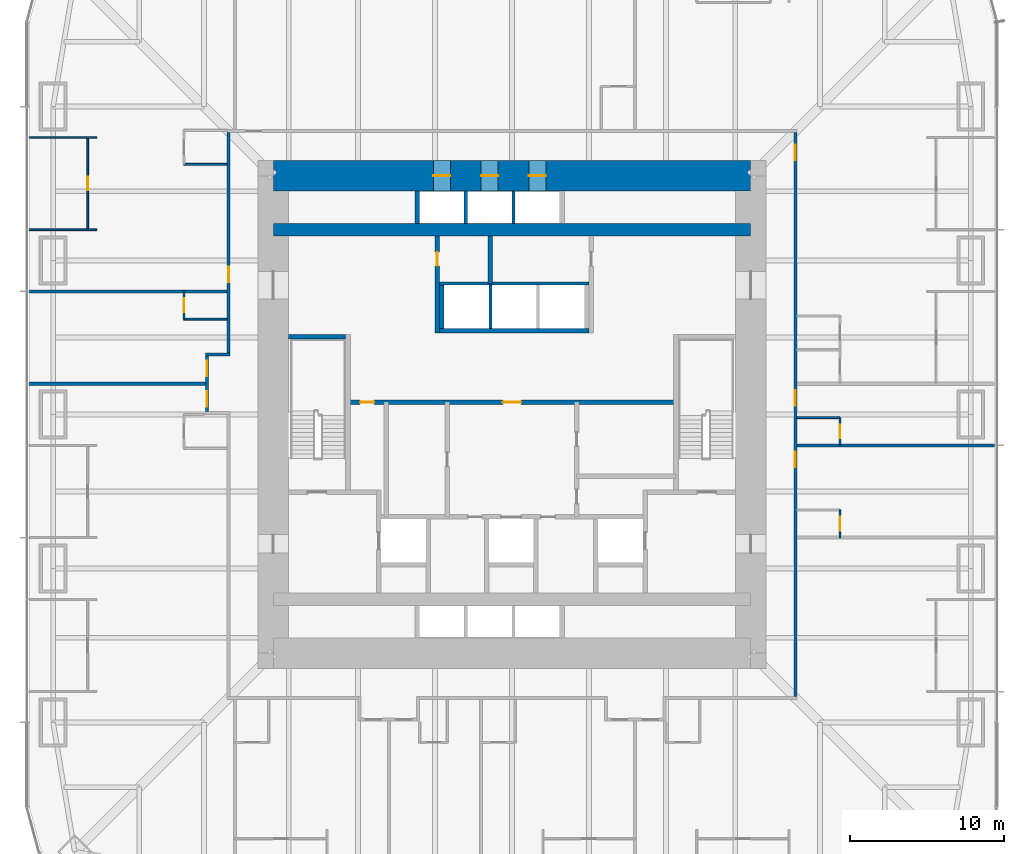
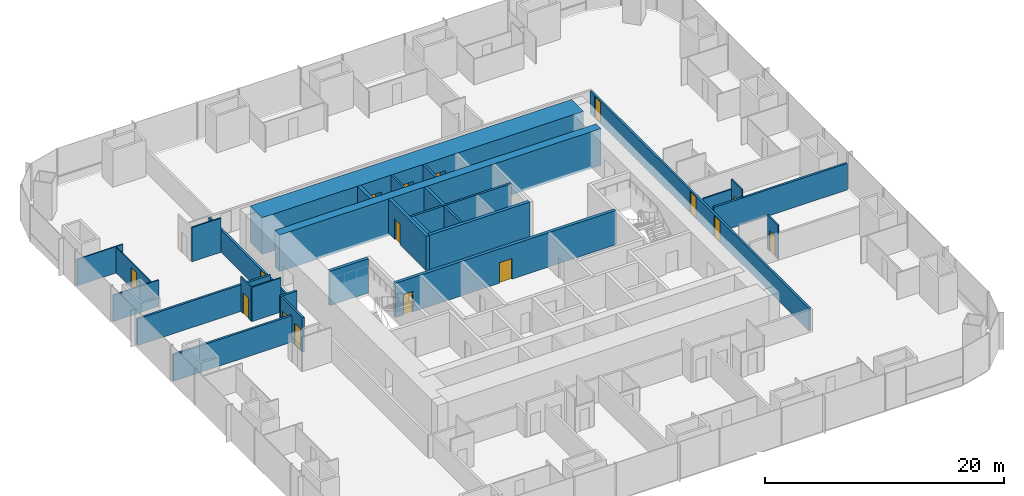
# One storey, part 14 of 16: 29 walls, 16 doors, 16 openings.
"""IFC4 building model written with IfcOpenShell, lengths in metres."""

from ifc_helpers import new_model, si_unit, direction, frame, frame_2d, origin, place, context, subcontext, project, spatial, rectangle, extrude, material, layer, layer_set, type_object, element, fill, save


model = new_model("IFC4")

# Units and contexts
model_context = context("Model", 3, precision=1e-05, world=origin(), true_north=direction((0.0, 1.0)))
body_context = subcontext(model_context, "Body", "Model", "MODEL_VIEW")
ifc_project = project(units=[si_unit("LENGTHUNIT", "METRE"), si_unit("AREAUNIT", "SQUARE_METRE"), si_unit("VOLUMEUNIT", "CUBIC_METRE"), si_unit("PLANEANGLEUNIT", "RADIAN"), si_unit("MASSUNIT", "GRAM", prefix="KILO")], contexts=[model_context])

# Site, building, storey
site_placement = place(None, origin())
site = spatial("IfcSite", under=ifc_project, at=site_placement, CompositionType="ELEMENT")
building_placement = place(site_placement, origin())
building = spatial("IfcBuilding", under=site, at=building_placement, Name="Khuree Lantern Residences", CompositionType="ELEMENT")
storey_placement = place(building_placement, frame((0.0, 0.0, 54.75)))
storey = spatial("IfcBuildingStorey", under=building, at=storey_placement, Name="L13", CompositionType="ELEMENT", Elevation=54.75)

# Wall, opening, door
ifc_material_1 = material(Name="Moisture-resistant gypsum board on steel studs", Category="steel")
ifc_layer_1 = layer(ifc_material_1, 0.125)
ifc_layer_set_1 = layer_set([ifc_layer_1], Name="BATHROOM WALL BTW125")
wall_type_1 = type_object("IfcWallType", Name="BATHROOM WALL BTW125", PredefinedType="PARTITIONING", material=ifc_layer_set_1)
wall_1_placement = place(storey_placement, frame((21.300048828125, -8.0, 0.0), z_axis=(0.0, 0.0, 1.0), x_axis=(0.0, 1.0, 0.0)))
wall_1 = element("IfcWall", 1, at=wall_1_placement, inside=storey, type_object=wall_type_1, Name="L13 BATHROOM WALL 01", PredefinedType="PARTITIONING", context=body_context, shape_type="SweptSolid", body=[
    extrude(rectangle(XDim=1.800048828125, YDim=0.125, at=frame_2d((0.89990234375, 0.0))), origin(), (0.0, 0.0, 1.0), 3.5),
])
opening_1_placement = place(wall_1_placement, frame((0.449951171875, 0.0, 0.0)))
opening_1 = element("IfcOpeningElement", 2, at=opening_1_placement, cuts=wall_1, Name="Opening 13-022", PredefinedType="OPENING", context=body_context, shape_type="SweptSolid", body=[
    extrude(rectangle(XDim=0.89990234375, YDim=2.10009765625, at=frame_2d((0.449951171875, 1.050048828125))), frame((0.0, 0.072509765625, 0.0), z_axis=(0.0, -1.0, 0.0), x_axis=(1.0, 0.0, 0.0)), (0.0, 0.0, 1.0), 0.14501953125),
])
ifc_material_2 = material(Name="Timber door leaf in hardwood frame", Category="wood")
door_type_1 = type_object("IfcDoorType", Name="BATHROOM DOOR 900X2100", OperationType="SINGLE_SWING_LEFT", PredefinedType="DOOR", material=ifc_material_2)
door_1_placement = place(opening_1_placement, origin())
door_1 = element("IfcDoor", 3, at=door_1_placement, inside=storey, type_object=door_type_1, Name="Bathroom door 13-022", OperationType="SINGLE_SWING_LEFT", OverallHeight=2.10009765625, OverallWidth=0.89990234375, PredefinedType="DOOR", context=body_context, shape_type="SweptSolid", body=[
    extrude(rectangle(XDim=0.89990234375, YDim=2.10009765625, at=frame_2d((0.449951171875, 1.050048828125))), frame((0.0, 0.02490234375, 0.0), z_axis=(0.0, -1.0, 0.0), x_axis=(1.0, 0.0, 0.0)), (0.0, 0.0, 1.0), 0.050048828125),
])
fill(opening_1, door_1)

wall_2_placement = place(storey_placement, frame((21.300048828125, -2.0, 0.0), z_axis=(0.0, 0.0, 1.0), x_axis=(0.0, 1.0, 0.0)))
wall_2 = element("IfcWall", 4, at=wall_2_placement, inside=storey, type_object=wall_type_1, Name="L13 BATHROOM WALL 02", PredefinedType="PARTITIONING", context=body_context, shape_type="SweptSolid", body=[
    extrude(rectangle(XDim=1.800048828125, YDim=0.125, at=frame_2d((0.89990234375, 0.0))), origin(), (0.0, 0.0, 1.0), 3.5),
])
opening_2_placement = place(wall_2_placement, frame((0.449951171875, 0.0, 0.0)))
opening_2 = element("IfcOpeningElement", 5, at=opening_2_placement, cuts=wall_2, Name="Opening 13-024", PredefinedType="OPENING", context=body_context, shape_type="SweptSolid", body=[
    extrude(rectangle(XDim=0.89990234375, YDim=2.10009765625, at=frame_2d((0.449951171875, 1.050048828125))), frame((0.0, 0.072509765625, 0.0), z_axis=(0.0, -1.0, 0.0), x_axis=(1.0, 0.0, 0.0)), (0.0, 0.0, 1.0), 0.14501953125),
])
door_2_placement = place(opening_2_placement, origin())
door_2 = element("IfcDoor", 6, at=door_2_placement, inside=storey, type_object=door_type_1, Name="Bathroom door 13-024", OperationType="SINGLE_SWING_LEFT", OverallHeight=2.10009765625, OverallWidth=0.89990234375, PredefinedType="DOOR", context=body_context, shape_type="SweptSolid", body=[
    extrude(rectangle(XDim=0.89990234375, YDim=2.10009765625, at=frame_2d((0.449951171875, 1.050048828125))), frame((0.0, 0.02490234375, 0.0), z_axis=(0.0, -1.0, 0.0), x_axis=(1.0, 0.0, 0.0)), (0.0, 0.0, 1.0), 0.050048828125),
])
fill(opening_2, door_2)

# Walls
wall_3_placement = place(storey_placement, frame((18.5, -0.199951171875, 0.0), z_axis=(0.0, 0.0, 1.0), x_axis=(1.0, 0.0, 0.0)))
element("IfcWall", 7, at=wall_3_placement, inside=storey, type_object=wall_type_1, Name="L13 BATHROOM WALL 02", PredefinedType="PARTITIONING", context=body_context, shape_type="SweptSolid", body=[
    extrude(rectangle(XDim=2.800048828125, YDim=0.125, at=frame_2d((1.39990234375, 0.0))), origin(), (0.0, 0.0, 1.0), 2.491943359375),
])
wall_4_placement = place(storey_placement, frame((-18.5, 16.25, 0.0), z_axis=(0.0, 0.0, 1.0), x_axis=(-1.0, 0.0, 0.0)))
element("IfcWall", 8, at=wall_4_placement, inside=storey, type_object=wall_type_1, Name="L13 BATHROOM WALL 05", PredefinedType="PARTITIONING", context=body_context, shape_type="SweptSolid", body=[
    extrude(rectangle(XDim=2.800048828125, YDim=0.125, at=frame_2d((1.39990234375, 0.0))), origin(), (0.0, 0.0, 1.0), 3.5),
])

# Wall, opening, door
wall_5_placement = place(storey_placement, frame((-21.300048828125, 8.0, 0.0), z_axis=(0.0, 0.0, 1.0), x_axis=(0.0, -1.0, 0.0)))
wall_5 = element("IfcWall", 9, at=wall_5_placement, inside=storey, type_object=wall_type_1, Name="L13 BATHROOM WALL 06", PredefinedType="PARTITIONING", context=body_context, shape_type="SweptSolid", body=[
    extrude(rectangle(XDim=1.800048828125, YDim=0.125, at=frame_2d((0.89990234375, 0.0))), origin(), (0.0, 0.0, 1.0), 3.5),
])
opening_3_placement = place(wall_5_placement, frame((0.449951171875, 0.0, 0.0)))
opening_3 = element("IfcOpeningElement", 10, at=opening_3_placement, cuts=wall_5, Name="Opening 13-040", PredefinedType="OPENING", context=body_context, shape_type="SweptSolid", body=[
    extrude(rectangle(XDim=0.89990234375, YDim=2.10009765625, at=frame_2d((0.449951171875, 1.050048828125))), frame((0.0, 0.072509765625, 0.0), z_axis=(0.0, -1.0, 0.0), x_axis=(1.0, 0.0, 0.0)), (0.0, 0.0, 1.0), 0.14501953125),
])
door_3_placement = place(opening_3_placement, origin())
door_3 = element("IfcDoor", 11, at=door_3_placement, inside=storey, type_object=door_type_1, Name="Bathroom door 13-040", OperationType="SINGLE_SWING_LEFT", OverallHeight=2.10009765625, OverallWidth=0.89990234375, PredefinedType="DOOR", context=body_context, shape_type="SweptSolid", body=[
    extrude(rectangle(XDim=0.89990234375, YDim=2.10009765625, at=frame_2d((0.449951171875, 1.050048828125))), frame((0.0, 0.02490234375, 0.0), z_axis=(0.0, -1.0, 0.0), x_axis=(1.0, 0.0, 0.0)), (0.0, 0.0, 1.0), 0.050048828125),
])
fill(opening_3, door_3)

# Walls
wall_6_placement = place(storey_placement, frame((-18.5, 6.199951171875, 0.0), z_axis=(0.0, 0.0, 1.0), x_axis=(-1.0, 0.0, 0.0)))
element("IfcWall", 12, at=wall_6_placement, inside=storey, type_object=wall_type_1, Name="L13 BATHROOM WALL 06", PredefinedType="PARTITIONING", context=body_context, shape_type="SweptSolid", body=[
    extrude(rectangle(XDim=2.800048828125, YDim=0.125, at=frame_2d((1.39990234375, 0.0))), origin(), (0.0, 0.0, 1.0), 3.5),
])
ifc_material_3 = material(Name="Dense concrete blockwork", Category="masonry")
ifc_layer_2 = layer(ifc_material_3, 0.300048828125)
ifc_layer_set_2 = layer_set([ifc_layer_2], Name="CORE PARTITION WALL CPW300 EI 120")
wall_type_2 = type_object("IfcWallType", Name="CORE PARTITION WALL CPW300 EI 120", PredefinedType="PARTITIONING", material=ifc_layer_set_2)
wall_7_placement = place(storey_placement, frame((-4.699951171875, 5.449951171875, 0.0), z_axis=(0.0, 0.0, 1.0), x_axis=(1.0, 0.0, 0.0)))
element("IfcWall", 13, at=wall_7_placement, inside=storey, type_object=wall_type_2, Name="L13 CORE WALL PHS", PredefinedType="PARTITIONING", context=body_context, shape_type="SweptSolid", body=[
    extrude(rectangle(XDim=9.699951171875, YDim=0.300048828125, at=frame_2d((4.85009765625, 0.0))), origin(), (0.0, 0.0, 1.0), 3.5),
])
wall_8_placement = place(storey_placement, frame((-4.550048828125, 5.60009765625, 0.0), z_axis=(0.0, 0.0, 1.0), x_axis=(0.0, 1.0, 0.0)))
element("IfcWall", 14, at=wall_8_placement, inside=storey, type_object=wall_type_2, Name="L13 CORE WALL PHW", PredefinedType="PARTITIONING", context=body_context, shape_type="SweptSolid", body=[
    extrude(rectangle(XDim=2.7998046875, YDim=0.300048828125, at=frame_2d((1.39990234375, 0.0))), origin(), (0.0, 0.0, 1.0), 3.5),
])
wall_9_placement = place(storey_placement, frame((-6.14990234375, 12.39990234375, 0.0), z_axis=(0.0, 0.0, 1.0), x_axis=(0.0, 1.0, 0.0)))
element("IfcWall", 15, at=wall_9_placement, inside=storey, type_object=wall_type_2, Name="L13 CORE WALL PLW", PredefinedType="PARTITIONING", context=body_context, shape_type="SweptSolid", body=[
    extrude(rectangle(XDim=2.10009765625, YDim=0.300048828125, at=frame_2d((1.050048828125, 0.0))), origin(), (0.0, 0.0, 1.0), 3.5),
])

# Wall, openings, doors
wall_10_placement = place(storey_placement, frame((-10.64990234375, 0.800048828125, 0.0), z_axis=(0.0, 0.0, 1.0), x_axis=(1.0, 0.0, 0.0)))
wall_10 = element("IfcWall", 16, at=wall_10_placement, inside=storey, type_object=wall_type_2, Name="L13 CORE WALL LLS", PredefinedType="PARTITIONING", context=body_context, shape_type="SweptSolid", body=[
    extrude(rectangle(XDim=21.2998046875, YDim=0.300048828125, at=frame_2d((10.64990234375, 0.0))), origin(), (0.0, 0.0, 1.0), 3.5),
])
opening_4_placement = place(wall_10_placement, frame((10.050048828125, 0.0, 0.0)))
opening_4 = element("IfcOpeningElement", 17, at=opening_4_placement, cuts=wall_10, Name="Opening 13-013", PredefinedType="OPENING", context=body_context, shape_type="SweptSolid", body=[
    extrude(rectangle(XDim=1.199951171875, YDim=2.10009765625, at=frame_2d((0.60009765625, 1.050048828125))), frame((0.0, 0.16015625, 0.0), z_axis=(0.0, -1.0, 0.0), x_axis=(1.0, 0.0, 0.0)), (0.0, 0.0, 1.0), 0.320068359375),
])
opening_5_placement = place(wall_10_placement, frame((0.79296875, 0.0, 0.0)))
opening_5 = element("IfcOpeningElement", 18, at=opening_5_placement, cuts=wall_10, Name="Opening 13-017", PredefinedType="OPENING", context=body_context, shape_type="SweptSolid", body=[
    extrude(rectangle(XDim=0.89990234375, YDim=2.10009765625, at=frame_2d((0.449951171875, 1.050048828125))), frame((0.0, 0.16015625, 0.0), z_axis=(0.0, -1.0, 0.0), x_axis=(1.0, 0.0, 0.0)), (0.0, 0.0, 1.0), 0.320068359375),
])
ifc_material_4 = material(Name="Steel door leaf in steel frame", Category="steel")
door_type_2 = type_object("IfcDoorType", Name="DOOR 1200X2100 EI 60", OperationType="SINGLE_SWING_LEFT", PredefinedType="DOOR", material=ifc_material_4)
door_4_placement = place(opening_4_placement, origin())
door_4 = element("IfcDoor", 19, at=door_4_placement, inside=storey, type_object=door_type_2, Name="Service lift lobby door 13-013", OperationType="SINGLE_SWING_LEFT", OverallHeight=2.10009765625, OverallWidth=1.199951171875, PredefinedType="DOOR", context=body_context, shape_type="SweptSolid", body=[
    extrude(rectangle(XDim=1.199951171875, YDim=2.10009765625, at=frame_2d((0.60009765625, 1.050048828125))), frame((0.0, 0.02490234375, 0.0), z_axis=(0.0, -1.0, 0.0), x_axis=(1.0, 0.0, 0.0)), (0.0, 0.0, 1.0), 0.050048828125),
])
fill(opening_4, door_4)
door_type_3 = type_object("IfcDoorType", Name="DOOR 900X2100", OperationType="SINGLE_SWING_LEFT", PredefinedType="DOOR", material=ifc_material_2)
door_5_placement = place(opening_5_placement, origin())
door_5 = element("IfcDoor", 20, at=door_5_placement, inside=storey, type_object=door_type_3, Name="Refuse holding room door 13-017", OperationType="SINGLE_SWING_LEFT", OverallHeight=2.10009765625, OverallWidth=0.89990234375, PredefinedType="DOOR", context=body_context, shape_type="SweptSolid", body=[
    extrude(rectangle(XDim=0.89990234375, YDim=2.10009765625, at=frame_2d((0.449951171875, 1.050048828125))), frame((0.0, 0.02490234375, 0.0), z_axis=(0.0, -1.0, 0.0), x_axis=(1.0, 0.0, 0.0)), (0.0, 0.0, 1.0), 0.050048828125),
])
fill(opening_5, door_5)

# Wall, opening, door
wall_11_placement = place(storey_placement, frame((-4.85009765625, 5.300048828125, 0.0), z_axis=(0.0, 0.0, 1.0), x_axis=(0.0, 1.0, 0.0)))
wall_11 = element("IfcWall", 21, at=wall_11_placement, inside=storey, type_object=wall_type_2, Name="L13 CORE WALL NW", PredefinedType="PARTITIONING", context=body_context, shape_type="SweptSolid", body=[
    extrude(rectangle(XDim=6.300048828125, YDim=0.300048828125, at=frame_2d((3.14990234375, 0.0))), origin(), (0.0, 0.0, 1.0), 3.5),
])
opening_6_placement = place(wall_11_placement, frame((4.35009765625, 0.0, 0.0)))
opening_6 = element("IfcOpeningElement", 22, at=opening_6_placement, cuts=wall_11, Name="Opening 13-020", PredefinedType="OPENING", context=body_context, shape_type="SweptSolid", body=[
    extrude(rectangle(XDim=0.89990234375, YDim=2.10009765625, at=frame_2d((0.449951171875, 1.050048828125))), frame((0.0, 0.16015625, 0.0), z_axis=(0.0, -1.0, 0.0), x_axis=(1.0, 0.0, 0.0)), (0.0, 0.0, 1.0), 0.320068359375),
])
door_type_4 = type_object("IfcDoorType", Name="DOOR 900X2100 RIGHT HAND", OperationType="SINGLE_SWING_RIGHT", PredefinedType="DOOR", material=ifc_material_2)
door_6_placement = place(opening_6_placement, origin())
door_6 = element("IfcDoor", 23, at=door_6_placement, inside=storey, type_object=door_type_4, Name="IT room door 13-020", OperationType="SINGLE_SWING_RIGHT", OverallHeight=2.10009765625, OverallWidth=0.89990234375, PredefinedType="DOOR", context=body_context, shape_type="SweptSolid", body=[
    extrude(rectangle(XDim=0.89990234375, YDim=2.10009765625, at=frame_2d((0.449951171875, 1.050048828125))), frame((0.0, 0.02490234375, 0.0), z_axis=(0.0, -1.0, 0.0), x_axis=(1.0, 0.0, 0.0)), (0.0, 0.0, 1.0), 0.050048828125),
])
fill(opening_6, door_6)

# Wall
wall_12_placement = place(storey_placement, frame((-1.39990234375, 8.5, 0.0), z_axis=(0.0, 0.0, 1.0), x_axis=(0.0, 1.0, 0.0)))
element("IfcWall", 24, at=wall_12_placement, inside=storey, type_object=wall_type_2, Name="L13 CORE WALL NX", PredefinedType="PARTITIONING", context=body_context, shape_type="SweptSolid", body=[
    extrude(rectangle(XDim=3.10009765625, YDim=0.300048828125, at=frame_2d((1.550048828125, 0.0))), origin(), (0.0, 0.0, 1.0), 3.5),
])

# Wall, openings, doors
ifc_material_5 = material(Name="Gypsum board on steel studs", Category="steel")
ifc_layer_3 = layer(ifc_material_5, 0.199951171875)
ifc_layer_set_3 = layer_set([ifc_layer_3], Name="CORRIDOR WALL CRW200 EI 60")
wall_type_3 = type_object("IfcWallType", Name="CORRIDOR WALL CRW200 EI 60", PredefinedType="PARTITIONING", material=ifc_layer_set_3)
wall_13_placement = place(storey_placement, frame((18.39990234375, -18.300048828125, 0.0), z_axis=(0.0, 0.0, 1.0), x_axis=(0.0, 1.0, 0.0)))
wall_13 = element("IfcWall", 25, at=wall_13_placement, inside=storey, type_object=wall_type_3, Name="L13 CORRIDOR WALL EAST 1", PredefinedType="PARTITIONING", context=body_context, shape_type="SweptSolid", body=[
    extrude(rectangle(XDim=36.60009765625, YDim=0.199951171875, at=frame_2d((18.300048828125, 0.0))), origin(), (0.0, 0.0, 1.0), 2.300048828125),
])
opening_7_placement = place(wall_13_placement, frame((14.8701171875, 0.0, 0.0)))
opening_7 = element("IfcOpeningElement", 26, at=opening_7_placement, cuts=wall_13, Name="Opening 13-023", PredefinedType="OPENING", context=body_context, shape_type="SweptSolid", body=[
    extrude(rectangle(XDim=1.0, YDim=2.199951171875, at=frame_2d((0.5, 1.10009765625))), frame((0.0, 0.10986328125, 0.0), z_axis=(0.0, -1.0, 0.0), x_axis=(1.0, 0.0, 0.0)), (0.0, 0.0, 1.0), 0.219970703125),
])
opening_8_placement = place(wall_13_placement, frame((18.8701171875, 0.0, 0.0)))
opening_8 = element("IfcOpeningElement", 27, at=opening_8_placement, cuts=wall_13, Name="Opening 13-025", PredefinedType="OPENING", context=body_context, shape_type="SweptSolid", body=[
    extrude(rectangle(XDim=1.0, YDim=2.199951171875, at=frame_2d((0.5, 1.10009765625))), frame((0.0, 0.10986328125, 0.0), z_axis=(0.0, -1.0, 0.0), x_axis=(1.0, 0.0, 0.0)), (0.0, 0.0, 1.0), 0.219970703125),
])
opening_9_placement = place(wall_13_placement, frame((34.820068359375, 0.0, 0.0)))
opening_9 = element("IfcOpeningElement", 28, at=opening_9_placement, cuts=wall_13, Name="Opening 13-032", PredefinedType="OPENING", context=body_context, shape_type="SweptSolid", body=[
    extrude(rectangle(XDim=1.0, YDim=2.199951171875, at=frame_2d((0.5, 1.10009765625))), frame((0.0, 0.10986328125, 0.0), z_axis=(0.0, -1.0, 0.0), x_axis=(1.0, 0.0, 0.0)), (0.0, 0.0, 1.0), 0.219970703125),
])
door_type_5 = type_object("IfcDoorType", Name="APARTMENT ENTRANCE DOOR 1000X2200 EI 30S", OperationType="SINGLE_SWING_LEFT", PredefinedType="DOOR", material=ifc_material_2)
door_7_placement = place(opening_7_placement, origin())
door_7 = element("IfcDoor", 29, at=door_7_placement, inside=storey, type_object=door_type_5, Name="Apartment 01 entrance door 13-023", OperationType="SINGLE_SWING_LEFT", OverallHeight=2.199951171875, OverallWidth=1.0, PredefinedType="DOOR", context=body_context, shape_type="SweptSolid", body=[
    extrude(rectangle(XDim=1.0, YDim=2.199951171875, at=frame_2d((0.5, 1.10009765625))), frame((0.0, 0.02490234375, 0.0), z_axis=(0.0, -1.0, 0.0), x_axis=(1.0, 0.0, 0.0)), (0.0, 0.0, 1.0), 0.050048828125),
])
fill(opening_7, door_7)
door_8_placement = place(opening_8_placement, origin())
door_8 = element("IfcDoor", 30, at=door_8_placement, inside=storey, type_object=door_type_5, Name="Apartment 02 entrance door 13-025", OperationType="SINGLE_SWING_LEFT", OverallHeight=2.199951171875, OverallWidth=1.0, PredefinedType="DOOR", context=body_context, shape_type="SweptSolid", body=[
    extrude(rectangle(XDim=1.0, YDim=2.199951171875, at=frame_2d((0.5, 1.10009765625))), frame((0.0, 0.02490234375, 0.0), z_axis=(0.0, -1.0, 0.0), x_axis=(1.0, 0.0, 0.0)), (0.0, 0.0, 1.0), 0.050048828125),
])
fill(opening_8, door_8)
door_type_6 = type_object("IfcDoorType", Name="APARTMENT ENTRANCE DOOR 1000X2200 EI 30S RIGHT HAND", OperationType="SINGLE_SWING_RIGHT", PredefinedType="DOOR", material=ifc_material_2)
door_9_placement = place(opening_9_placement, origin())
door_9 = element("IfcDoor", 31, at=door_9_placement, inside=storey, type_object=door_type_6, Name="Apartment 03 entrance door 13-032", OperationType="SINGLE_SWING_RIGHT", OverallHeight=2.199951171875, OverallWidth=1.0, PredefinedType="DOOR", context=body_context, shape_type="SweptSolid", body=[
    extrude(rectangle(XDim=1.0, YDim=2.199951171875, at=frame_2d((0.5, 1.10009765625))), frame((0.0, 0.02490234375, 0.0), z_axis=(0.0, -1.0, 0.0), x_axis=(1.0, 0.0, 0.0)), (0.0, 0.0, 1.0), 0.050048828125),
])
fill(opening_9, door_9)

# Wall, opening, door
wall_14_placement = place(storey_placement, frame((-18.39990234375, 18.300048828125, 0.0), z_axis=(0.0, 0.0, 1.0), x_axis=(0.0, -1.0, 0.0)))
wall_14 = element("IfcWall", 32, at=wall_14_placement, inside=storey, type_object=wall_type_3, Name="L13 CORRIDOR WALL WEST 1", PredefinedType="PARTITIONING", context=body_context, shape_type="SweptSolid", body=[
    extrude(rectangle(XDim=14.300048828125, YDim=0.199951171875, at=frame_2d((7.14990234375, 0.0))), origin(), (0.0, 0.0, 1.0), 2.300048828125),
])
opening_10_placement = place(wall_14_placement, frame((8.699951171875, 0.0, 0.0)))
opening_10 = element("IfcOpeningElement", 33, at=opening_10_placement, cuts=wall_14, Name="Opening 13-039", PredefinedType="OPENING", context=body_context, shape_type="SweptSolid", body=[
    extrude(rectangle(XDim=1.0, YDim=2.199951171875, at=frame_2d((0.5, 1.10009765625))), frame((0.0, 0.10986328125, 0.0), z_axis=(0.0, -1.0, 0.0), x_axis=(1.0, 0.0, 0.0)), (0.0, 0.0, 1.0), 0.219970703125),
])
door_10_placement = place(opening_10_placement, origin())
door_10 = element("IfcDoor", 34, at=door_10_placement, inside=storey, type_object=door_type_5, Name="Apartment 05 entrance door 13-039", OperationType="SINGLE_SWING_LEFT", OverallHeight=2.199951171875, OverallWidth=1.0, PredefinedType="DOOR", context=body_context, shape_type="SweptSolid", body=[
    extrude(rectangle(XDim=1.0, YDim=2.199951171875, at=frame_2d((0.5, 1.10009765625))), frame((0.0, 0.02490234375, 0.0), z_axis=(0.0, -1.0, 0.0), x_axis=(1.0, 0.0, 0.0)), (0.0, 0.0, 1.0), 0.050048828125),
])
fill(opening_10, door_10)

# Wall
wall_15_placement = place(storey_placement, frame((-18.300048828125, 3.89990234375, 0.0), z_axis=(0.0, 0.0, 1.0), x_axis=(-1.0, 0.0, 0.0)))
element("IfcWall", 35, at=wall_15_placement, inside=storey, type_object=wall_type_3, Name="L13 CORRIDOR ALCOVE WALL WEST", PredefinedType="PARTITIONING", context=body_context, shape_type="SweptSolid", body=[
    extrude(rectangle(XDim=1.599853515625, YDim=0.199951171875, at=frame_2d((0.7998046875, 0.0))), origin(), (0.0, 0.0, 1.0), 3.5),
])

# Wall, openings, doors
wall_16_placement = place(storey_placement, frame((-19.800048828125, 3.800048828125, 0.0), z_axis=(0.0, 0.0, 1.0), x_axis=(0.0, -1.0, 0.0)))
wall_16 = element("IfcWall", 36, at=wall_16_placement, inside=storey, type_object=wall_type_3, Name="L13 CORRIDOR ALCOVE WALL WEST", PredefinedType="PARTITIONING", context=body_context, shape_type="SweptSolid", body=[
    extrude(rectangle(XDim=3.60009765625, YDim=0.199951171875, at=frame_2d((1.800048828125, 0.0))), origin(), (0.0, 0.0, 1.0), 3.5),
])
opening_11_placement = place(wall_16_placement, frame((0.300048828125, 0.0, 0.0)))
opening_11 = element("IfcOpeningElement", 37, at=opening_11_placement, cuts=wall_16, Name="Opening 13-041", PredefinedType="OPENING", context=body_context, shape_type="SweptSolid", body=[
    extrude(rectangle(XDim=1.0, YDim=2.199951171875, at=frame_2d((0.5, 1.10009765625))), frame((0.0, 0.10986328125, 0.0), z_axis=(0.0, -1.0, 0.0), x_axis=(1.0, 0.0, 0.0)), (0.0, 0.0, 1.0), 0.219970703125),
])
opening_12_placement = place(wall_16_placement, frame((2.300048828125, 0.0, 0.0)))
opening_12 = element("IfcOpeningElement", 38, at=opening_12_placement, cuts=wall_16, Name="Opening 13-045", PredefinedType="OPENING", context=body_context, shape_type="SweptSolid", body=[
    extrude(rectangle(XDim=1.0, YDim=2.199951171875, at=frame_2d((0.5, 1.10009765625))), frame((0.0, 0.10986328125, 0.0), z_axis=(0.0, -1.0, 0.0), x_axis=(1.0, 0.0, 0.0)), (0.0, 0.0, 1.0), 0.219970703125),
])
door_11_placement = place(opening_11_placement, origin())
door_11 = element("IfcDoor", 39, at=door_11_placement, inside=storey, type_object=door_type_5, Name="Apartment 06 entrance door 13-041", OperationType="SINGLE_SWING_LEFT", OverallHeight=2.199951171875, OverallWidth=1.0, PredefinedType="DOOR", context=body_context, shape_type="SweptSolid", body=[
    extrude(rectangle(XDim=1.0, YDim=2.199951171875, at=frame_2d((0.5, 1.10009765625))), frame((0.0, 0.02490234375, 0.0), z_axis=(0.0, -1.0, 0.0), x_axis=(1.0, 0.0, 0.0)), (0.0, 0.0, 1.0), 0.050048828125),
])
fill(opening_11, door_11)
door_12_placement = place(opening_12_placement, origin())
door_12 = element("IfcDoor", 40, at=door_12_placement, inside=storey, type_object=door_type_6, Name="Apartment 07 entrance door 13-045", OperationType="SINGLE_SWING_RIGHT", OverallHeight=2.199951171875, OverallWidth=1.0, PredefinedType="DOOR", context=body_context, shape_type="SweptSolid", body=[
    extrude(rectangle(XDim=1.0, YDim=2.199951171875, at=frame_2d((0.5, 1.10009765625))), frame((0.0, 0.02490234375, 0.0), z_axis=(0.0, -1.0, 0.0), x_axis=(1.0, 0.0, 0.0)), (0.0, 0.0, 1.0), 0.050048828125),
])
fill(opening_12, door_12)

ifc_material_6 = material(Name="Concrete C70/85", Category="concrete")
ifc_layer_4 = layer(ifc_material_6, 2.0)
ifc_layer_set_4 = layer_set([ifc_layer_4], Name="CW2000-C70 CORE WALL C70 2000")
wall_type_4 = type_object("IfcWallType", Name="CW2000-C70 CORE WALL C70 2000", PredefinedType="SHEAR", material=ifc_layer_set_4)
wall_17_placement = place(storey_placement, frame((-15.5, 15.5, -0.25), z_axis=(0.0, 0.0, 1.0), x_axis=(1.0, 0.0, 0.0)))
wall_17 = element("IfcWall", 41, at=wall_17_placement, inside=storey, type_object=wall_type_4, Name="Core wall N", PredefinedType="SHEAR", context=body_context, shape_type="SweptSolid", body=[
    extrude(rectangle(XDim=31.0, YDim=2.0, at=frame_2d((15.5, 0.0))), origin(), (0.0, 0.0, 1.0), 3.75),
])
opening_13_placement = place(wall_17_placement, frame((10.39990234375, 0.0, 0.25)))
opening_13 = element("IfcOpeningElement", 42, at=opening_13_placement, cuts=wall_17, Name="Opening 13-009", PredefinedType="OPENING", context=body_context, shape_type="SweptSolid", body=[
    extrude(rectangle(XDim=1.10009765625, YDim=2.10009765625, at=frame_2d((0.550048828125, 1.050048828125))), frame((0.0, 1.010009765625, 0.0), z_axis=(0.0, -1.0, 0.0), x_axis=(1.0, 0.0, 0.0)), (0.0, 0.0, 1.0), 2.02001953125),
])
opening_14_placement = place(wall_17_placement, frame((13.5, 0.0, 0.25)))
opening_14 = element("IfcOpeningElement", 43, at=opening_14_placement, cuts=wall_17, Name="Opening 13-010", PredefinedType="OPENING", context=body_context, shape_type="SweptSolid", body=[
    extrude(rectangle(XDim=1.10009765625, YDim=2.10009765625, at=frame_2d((0.550048828125, 1.050048828125))), frame((0.0, 1.010009765625, 0.0), z_axis=(0.0, -1.0, 0.0), x_axis=(1.0, 0.0, 0.0)), (0.0, 0.0, 1.0), 2.02001953125),
])
opening_15_placement = place(wall_17_placement, frame((16.60009765625, 0.0, 0.25)))
opening_15 = element("IfcOpeningElement", 44, at=opening_15_placement, cuts=wall_17, Name="Opening 13-011", PredefinedType="OPENING", context=body_context, shape_type="SweptSolid", body=[
    extrude(rectangle(XDim=1.10009765625, YDim=2.10009765625, at=frame_2d((0.550048828125, 1.050048828125))), frame((0.0, 1.010009765625, 0.0), z_axis=(0.0, -1.0, 0.0), x_axis=(1.0, 0.0, 0.0)), (0.0, 0.0, 1.0), 2.02001953125),
])
ifc_material_7 = material(Name="Stainless steel lift landing door", Category="steel")
door_type_7 = type_object("IfcDoorType", Name="LIFT LANDING DOOR 1100X2100 E 60", OperationType="DOUBLE_DOOR_SLIDING", PredefinedType="DOOR", material=ifc_material_7)
door_13_placement = place(opening_13_placement, origin())
door_13 = element("IfcDoor", 45, at=door_13_placement, inside=storey, type_object=door_type_7, Name="Landing door PL1 13-009", OperationType="DOUBLE_DOOR_SLIDING", OverallHeight=2.10009765625, OverallWidth=1.10009765625, PredefinedType="DOOR", context=body_context, shape_type="SweptSolid", body=[
    extrude(rectangle(XDim=1.10009765625, YDim=2.10009765625, at=frame_2d((0.550048828125, 1.050048828125))), frame((0.0, 0.02490234375, 0.0), z_axis=(0.0, -1.0, 0.0), x_axis=(1.0, 0.0, 0.0)), (0.0, 0.0, 1.0), 0.050048828125),
])
fill(opening_13, door_13)
door_14_placement = place(opening_14_placement, origin())
door_14 = element("IfcDoor", 46, at=door_14_placement, inside=storey, type_object=door_type_7, Name="Landing door PL2 13-010", OperationType="DOUBLE_DOOR_SLIDING", OverallHeight=2.10009765625, OverallWidth=1.10009765625, PredefinedType="DOOR", context=body_context, shape_type="SweptSolid", body=[
    extrude(rectangle(XDim=1.10009765625, YDim=2.10009765625, at=frame_2d((0.550048828125, 1.050048828125))), frame((0.0, 0.02490234375, 0.0), z_axis=(0.0, -1.0, 0.0), x_axis=(1.0, 0.0, 0.0)), (0.0, 0.0, 1.0), 0.050048828125),
])
fill(opening_14, door_14)
door_15_placement = place(opening_15_placement, origin())
door_15 = element("IfcDoor", 47, at=door_15_placement, inside=storey, type_object=door_type_7, Name="Landing door PL3 13-011", OperationType="DOUBLE_DOOR_SLIDING", OverallHeight=2.10009765625, OverallWidth=1.10009765625, PredefinedType="DOOR", context=body_context, shape_type="SweptSolid", body=[
    extrude(rectangle(XDim=1.10009765625, YDim=2.10009765625, at=frame_2d((0.550048828125, 1.050048828125))), frame((0.0, 0.02490234375, 0.0), z_axis=(0.0, -1.0, 0.0), x_axis=(1.0, 0.0, 0.0)), (0.0, 0.0, 1.0), 0.050048828125),
])
fill(opening_15, door_15)

# Walls
ifc_layer_5 = layer(ifc_material_5, 0.199951171875)
ifc_layer_set_5 = layer_set([ifc_layer_5], Name="DEMISING WALL DMW200 EI 90")
wall_type_5 = type_object("IfcWallType", Name="DEMISING WALL DMW200 EI 90", PredefinedType="PARTITIONING", material=ifc_layer_set_5)
for number, where, z_axis, x_axis, name in (
    (48, (18.5, -2.0, 0.0), (0.0, 0.0, 1.0), (1.0, 0.0, 0.0), "L13 DEMISING WALL 02"),
    (49, (-18.5, 8.0, 0.0), (0.0, 0.0, 1.0), (-1.0, 0.0, 0.0), "L13 DEMISING WALL 06"),
):
    element("IfcWall", number, at=place(storey_placement, frame(where, z_axis=z_axis, x_axis=x_axis)), inside=storey, type_object=wall_type_5, Name=name, PredefinedType="PARTITIONING", context=body_context, shape_type="SweptSolid", body=[
        extrude(rectangle(XDim=12.85009765625, YDim=0.199951171875, at=frame_2d((6.425048828125, 0.0))), origin(), (0.0, 0.0, 1.0), 2.7099609375),
    ])
wall_18_placement = place(storey_placement, frame((-19.89990234375, 2.0, 0.0), z_axis=(0.0, 0.0, 1.0), x_axis=(-1.0, 0.0, 0.0)))
element("IfcWall", 50, at=wall_18_placement, inside=storey, type_object=wall_type_5, Name="L13 DEMISING WALL 07", PredefinedType="PARTITIONING", context=body_context, shape_type="SweptSolid", body=[
    extrude(rectangle(XDim=11.4501953125, YDim=0.199951171875, at=frame_2d((5.72509765625, 0.0))), origin(), (0.0, 0.0, 1.0), 2.7099609375),
])
ifc_layer_6 = layer(ifc_material_5, 0.10009765625)
ifc_layer_set_6 = layer_set([ifc_layer_6], Name="PARTITION PT100")
wall_type_6 = type_object("IfcWallType", Name="PARTITION PT100", PredefinedType="PARTITIONING", material=ifc_layer_set_6)
for number, where, z_axis, x_axis, name in (
    (51, (-26.949951171875, 18.0, 0.0), (0.0, 0.0, 1.0), (-1.0, 0.0, 0.0), "L13 PARTITION 05"),
    (52, (-26.949951171875, 12.0, 0.0), (0.0, 0.0, 1.0), (-1.0, 0.0, 0.0), "L13 PARTITION 05"),
):
    element("IfcWall", number, at=place(storey_placement, frame(where, z_axis=z_axis, x_axis=x_axis)), inside=storey, type_object=wall_type_6, Name=name, PredefinedType="PARTITIONING", context=body_context, shape_type="SweptSolid", body=[
        extrude(rectangle(XDim=4.400146484375, YDim=0.10009765625, at=frame_2d((2.2001953125, 0.0))), origin(), (0.0, 0.0, 1.0), 2.7099609375),
    ])

# Wall, opening, door
wall_19_placement = place(storey_placement, frame((-27.550048828125, 18.0, 0.0), z_axis=(0.0, 0.0, 1.0), x_axis=(0.0, -1.0, 0.0)))
wall_19 = element("IfcWall", 53, at=wall_19_placement, inside=storey, type_object=wall_type_6, Name="L13 PARTITION 05", PredefinedType="PARTITIONING", context=body_context, shape_type="SweptSolid", body=[
    extrude(rectangle(XDim=6.0, YDim=0.10009765625, at=frame_2d((3.0, 0.0))), origin(), (0.0, 0.0, 1.0), 2.610107421875),
])
opening_16_placement = place(wall_19_placement, frame((2.550048828125, 0.0, 0.0)))
opening_16 = element("IfcOpeningElement", 54, at=opening_16_placement, cuts=wall_19, Name="Opening 13-037", PredefinedType="OPENING", context=body_context, shape_type="SweptSolid", body=[
    extrude(rectangle(XDim=0.89990234375, YDim=2.10009765625, at=frame_2d((0.449951171875, 1.050048828125))), frame((0.0, 0.06005859375, 0.0), z_axis=(0.0, -1.0, 0.0), x_axis=(1.0, 0.0, 0.0)), (0.0, 0.0, 1.0), 0.1201171875),
])
door_type_8 = type_object("IfcDoorType", Name="BEDROOM DOOR 900X2100", OperationType="SINGLE_SWING_LEFT", PredefinedType="DOOR", material=ifc_material_2)
door_16_placement = place(opening_16_placement, origin())
door_16 = element("IfcDoor", 55, at=door_16_placement, inside=storey, type_object=door_type_8, Name="Bedroom door 13-037", OperationType="SINGLE_SWING_LEFT", OverallHeight=2.10009765625, OverallWidth=0.89990234375, PredefinedType="DOOR", context=body_context, shape_type="SweptSolid", body=[
    extrude(rectangle(XDim=0.89990234375, YDim=2.10009765625, at=frame_2d((0.449951171875, 1.050048828125))), frame((0.0, 0.02490234375, 0.0), z_axis=(0.0, -1.0, 0.0), x_axis=(1.0, 0.0, 0.0)), (0.0, 0.0, 1.0), 0.050048828125),
])
fill(opening_16, door_16)

# Walls
ifc_layer_7 = layer(ifc_material_3, 0.199951171875)
ifc_layer_set_7 = layer_set([ifc_layer_7], Name="SHAFT WALL SHW200 EI 120")
wall_type_7 = type_object("IfcWallType", Name="SHAFT WALL SHW200 EI 120", PredefinedType="PARTITIONING", material=ifc_layer_set_7)
wall_20_placement = place(storey_placement, frame((-4.699951171875, 8.5, 0.0), z_axis=(0.0, 0.0, 1.0), x_axis=(1.0, 0.0, 0.0)))
element("IfcWall", 56, at=wall_20_placement, inside=storey, type_object=wall_type_7, Name="L13 CORE WALL PHN", PredefinedType="PARTITIONING", context=body_context, shape_type="SweptSolid", body=[
    extrude(rectangle(XDim=9.699951171875, YDim=0.199951171875, at=frame_2d((4.85009765625, 0.0))), origin(), (0.0, 0.0, 1.0), 3.5),
])
wall_21_placement = place(storey_placement, frame((-1.39990234375, 5.60009765625, 0.0), z_axis=(0.0, 0.0, 1.0), x_axis=(0.0, 1.0, 0.0)))
element("IfcWall", 57, at=wall_21_placement, inside=storey, type_object=wall_type_7, Name="L13 CORE WALL PHD1", PredefinedType="PARTITIONING", context=body_context, shape_type="SweptSolid", body=[
    extrude(rectangle(XDim=2.7998046875, YDim=0.199951171875, at=frame_2d((1.39990234375, 0.0))), origin(), (0.0, 0.0, 1.0), 3.5),
])
for number, where, z_axis, x_axis, name in (
    (58, (-3.0, 12.39990234375, 0.0), (0.0, 0.0, 1.0), (0.0, 1.0, 0.0), "L13 CORE WALL PLD1"),
    (59, (0.10009765625, 12.39990234375, 0.0), (0.0, 0.0, 1.0), (0.0, 1.0, 0.0), "L13 CORE WALL PLD2"),
):
    element("IfcWall", number, at=place(storey_placement, frame(where, z_axis=z_axis, x_axis=x_axis)), inside=storey, type_object=wall_type_7, Name=name, PredefinedType="PARTITIONING", context=body_context, shape_type="SweptSolid", body=[
        extrude(rectangle(XDim=2.10009765625, YDim=0.199951171875, at=frame_2d((1.050048828125, 0.0))), origin(), (0.0, 0.0, 1.0), 3.5),
    ])
ifc_layer_8 = layer(ifc_material_6, 0.800048828125)
ifc_layer_set_8 = layer_set([ifc_layer_8], Name="SP800-C70 CORE SPINE WALL C70 800")
wall_type_8 = type_object("IfcWallType", Name="SP800-C70 CORE SPINE WALL C70 800", PredefinedType="SHEAR", material=ifc_layer_set_8)
wall_22_placement = place(storey_placement, frame((-15.5, 12.0, -0.25), z_axis=(0.0, 0.0, 1.0), x_axis=(1.0, 0.0, 0.0)))
element("IfcWall", 60, at=wall_22_placement, inside=storey, type_object=wall_type_8, Name="Core wall SPN", PredefinedType="SHEAR", context=body_context, shape_type="SweptSolid", body=[
    extrude(rectangle(XDim=31.0, YDim=0.800048828125, at=frame_2d((15.5, 0.0))), origin(), (0.0, 0.0, 1.0), 3.75),
])
ifc_material_8 = material(Name="Concrete C50/60", Category="concrete")
ifc_layer_9 = layer(ifc_material_8, 0.300048828125)
ifc_layer_set_9 = layer_set([ifc_layer_9], Name="STAIR WALL SRW300 C50/60 REI 240")
wall_type_9 = type_object("IfcWallType", Name="STAIR WALL SRW300 C50/60 REI 240", PredefinedType="SOLIDWALL", material=ifc_layer_set_9)
wall_23_placement = place(storey_placement, frame((-14.5, 5.050048828125, 0.0), z_axis=(0.0, 0.0, 1.0), x_axis=(1.0, 0.0, 0.0)))
element("IfcWall", 61, at=wall_23_placement, inside=storey, type_object=wall_type_9, Name="L13 STAIR WALL ST1N", PredefinedType="SOLIDWALL", context=body_context, shape_type="SweptSolid", body=[
    extrude(rectangle(XDim=3.699951171875, YDim=0.300048828125, at=frame_2d((1.85009765625, 0.0))), origin(), (0.0, 0.0, 1.0), 3.5),
])

save(model, "model.ifc")
